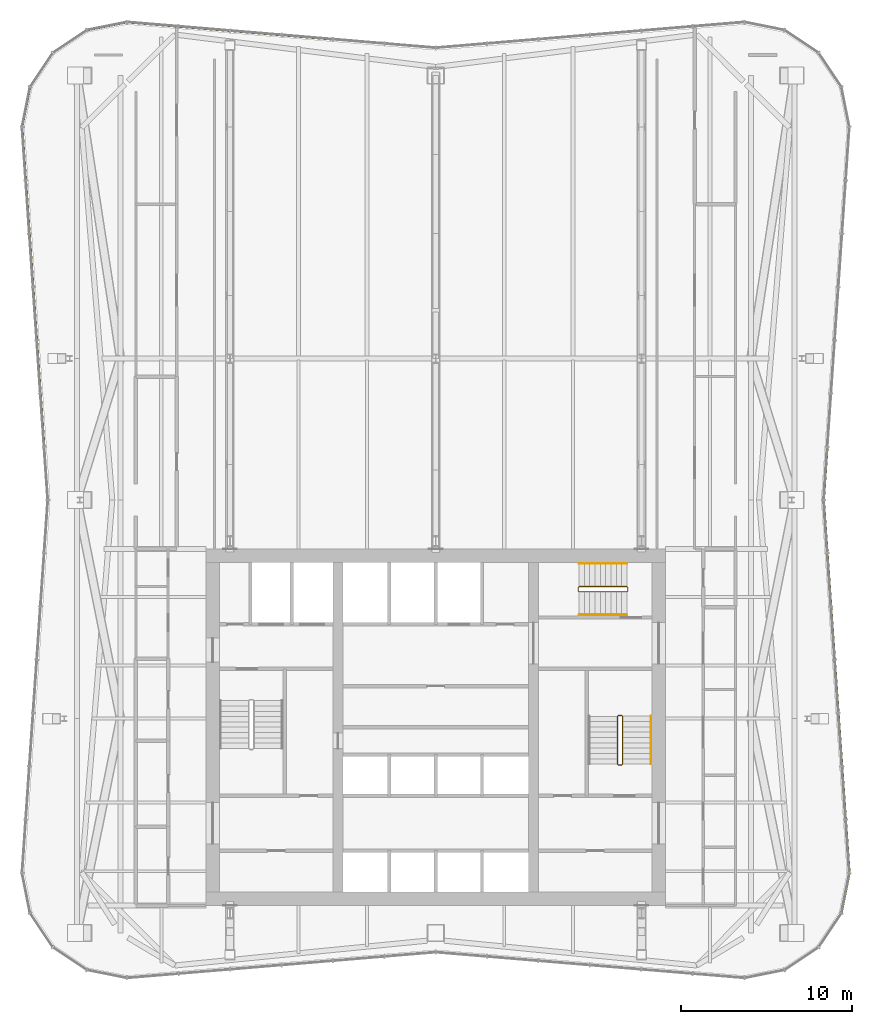
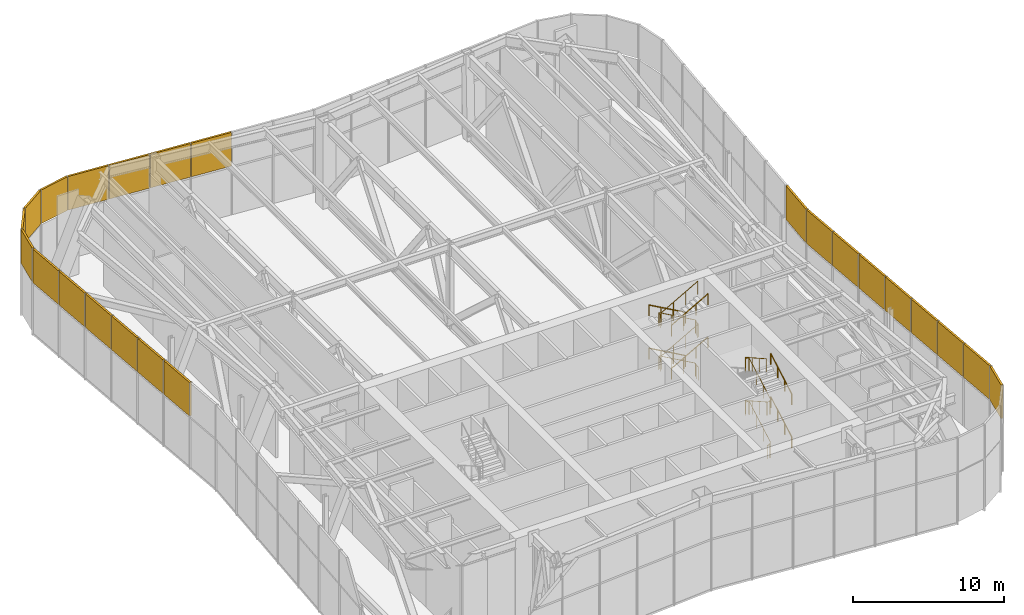
# One storey, part 16 of 17: 23 shading devices, 8 railings, 5 elements without a shape of their own.
"""IFC4 building model written with IfcOpenShell, lengths in metres."""

from ifc_helpers import new_model, si_unit, direction, frame, origin, origin_2d, place, context, subcontext, project, spatial, rectangle, circle, extrude, material, layer, layer_set, type_object, element, aggregate, save


model = new_model("IFC4")

# Units and contexts
model_context = context("Model", 3, precision=1e-05, world=origin(), true_north=direction((0.0, 1.0)))
body_context = subcontext(model_context, "Body", "Model", "MODEL_VIEW")
ifc_project = project(units=[si_unit("LENGTHUNIT", "METRE"), si_unit("AREAUNIT", "SQUARE_METRE"), si_unit("VOLUMEUNIT", "CUBIC_METRE"), si_unit("PLANEANGLEUNIT", "RADIAN"), si_unit("MASSUNIT", "GRAM", prefix="KILO")], contexts=[model_context])

# Site, building, storey
site_placement = place(None, origin())
site = spatial("IfcSite", under=ifc_project, at=site_placement, CompositionType="ELEMENT")
building_placement = place(site_placement, origin())
building = spatial("IfcBuilding", under=site, at=building_placement, Name="Verdant Reach Tower", CompositionType="ELEMENT")
storey_placement = place(building_placement, frame((0.0, 0.0, 282.0)))
storey = spatial("IfcBuildingStorey", under=building, at=storey_placement, Name="L65 Plant", CompositionType="ELEMENT", Elevation=282.0)

# Railings
ifc_material_1 = material(Name="Stainless steel", Category="steel")
railing_type_1 = type_object("IfcRailingType", Name="CO-GUARD", PredefinedType="GUARDRAIL", material=ifc_material_1)
railing_1_placement = place(storey_placement, frame((10.64990234375, 25.800048828125, 0.0)))
element("IfcRailing", 1, at=railing_1_placement, inside=storey, type_object=railing_type_1, Name="L65 Plant ST-2 stair guard 1", PredefinedType="GUARDRAIL", context=body_context, shape_type="SweptSolid", body=[
    extrude(circle(Radius=0.02392578125, at=origin_2d()), frame((0.0, 0.0, 1.076171875), z_axis=(1.0, 0.0, 0.0), x_axis=(0.0, 1.0, 0.0)), (0.0, 0.0, 1.0), 0.2001953125),
    extrude(circle(Radius=0.02392578125, at=origin_2d()), frame((0.2001953125, 0.0, 1.076171875), z_axis=(0.263862480399, 0.265155923931, 0.927399011991), x_axis=(-0.708833529934, 0.705375805398, 0.0)), (0.0, 0.0, 1.0), 0.188720703125),
    extrude(circle(Radius=0.02392578125, at=origin_2d()), frame((0.25, 0.050048828125, 1.2509765625), z_axis=(0.0, 0.870815363784, 0.491610213684), x_axis=(-1.0, 0.0, 0.0)), (0.0, 0.0, 1.0), 3.20361328125),
    extrude(circle(Radius=0.02392578125, at=origin_2d()), frame((0.25, 2.83984375, 2.826171875), z_axis=(-0.705375805398, 0.708833529934, 0.0), x_axis=(-0.708833529934, -0.705375805398, 0.0)), (0.0, 0.0, 1.0), 0.070556640625),
    extrude(circle(Radius=0.02392578125, at=origin_2d()), frame((0.2001953125, 2.889892578125, 2.826171875), z_axis=(-1.0, 0.0, 0.0), x_axis=(0.0, -1.0, 0.0)), (0.0, 0.0, 1.0), 0.2001953125),
    extrude(circle(Radius=0.02392578125, at=origin_2d()), frame((0.0, 2.889892578125, 2.826171875), z_axis=(-0.263862480399, -0.265155923931, 0.927399011991), x_axis=(0.708833529934, -0.705375805398, 0.0)), (0.0, 0.0, 1.0), 0.188720703125),
    extrude(circle(Radius=0.02392578125, at=origin_2d()), frame((-0.0498046875, 2.83984375, 3.0009765625), z_axis=(0.0, -0.870815363784, 0.491610213684), x_axis=(1.0, 0.0, 0.0)), (0.0, 0.0, 1.0), 3.20361328125),
    extrude(circle(Radius=0.02392578125, at=origin_2d()), frame((-0.0498046875, 0.050048828125, 4.576171875), z_axis=(0.705375805398, -0.708833529934, 0.0), x_axis=(0.708833529934, 0.705375805398, 0.0)), (0.0, 0.0, 1.0), 0.070556640625),
    extrude(circle(Radius=0.02392578125, at=origin_2d()), frame((0.0, 0.0, 4.576171875), z_axis=(1.0, 0.0, 0.0), x_axis=(0.0, 1.0, 0.0)), (0.0, 0.0, 1.0), 0.2001953125),
    extrude(circle(Radius=0.02392578125, at=origin_2d()), frame((0.2001953125, 0.0, 4.576171875), z_axis=(0.263862480399, 0.265155923931, 0.927399011991), x_axis=(-0.708833529934, 0.705375805398, 0.0)), (0.0, 0.0, 1.0), 0.188720703125),
    extrude(circle(Radius=0.02392578125, at=origin_2d()), frame((0.25, 0.050048828125, 4.7509765625), z_axis=(0.0, 0.870815363784, 0.491610213684), x_axis=(-1.0, 0.0, 0.0)), (0.0, 0.0, 1.0), 3.20361328125),
    extrude(circle(Radius=0.02392578125, at=origin_2d()), frame((0.25, 2.83984375, 6.326171875), z_axis=(-0.705375805398, 0.708833529934, 0.0), x_axis=(-0.708833529934, -0.705375805398, 0.0)), (0.0, 0.0, 1.0), 0.070556640625),
    extrude(circle(Radius=0.02392578125, at=origin_2d()), frame((0.2001953125, 2.889892578125, 6.326171875), z_axis=(-1.0, 0.0, 0.0), x_axis=(0.0, -1.0, 0.0)), (0.0, 0.0, 1.0), 0.2001953125),
    extrude(circle(Radius=0.02392578125, at=origin_2d()), frame((0.0, 2.889892578125, 6.326171875), z_axis=(-0.263862480399, -0.265155923931, 0.927399011991), x_axis=(0.708833529934, -0.705375805398, 0.0)), (0.0, 0.0, 1.0), 0.188720703125),
    extrude(circle(Radius=0.02392578125, at=origin_2d()), frame((-0.0498046875, 2.83984375, 6.5009765625), z_axis=(0.0, -0.870815363784, 0.491610213684), x_axis=(1.0, 0.0, 0.0)), (0.0, 0.0, 1.0), 3.20361328125),
    extrude(circle(Radius=0.02099609375, at=origin_2d()), origin(), (0.0, 0.0, 1.0), 1.052001953125),
    extrude(circle(Radius=0.02099609375, at=origin_2d()), frame((0.2001953125, 0.0, 0.0)), (0.0, 0.0, 1.0), 1.052001953125),
    extrude(circle(Radius=0.02099609375, at=origin_2d()), frame((0.25, 0.050048828125, 0.175048828125)), (0.0, 0.0, 1.0), 1.052001953125),
    extrude(circle(Radius=0.02099609375, at=origin_2d()), frame((0.25, 0.97998046875, 0.699951171875)), (0.0, 0.0, 1.0), 1.052001953125),
    extrude(circle(Radius=0.02099609375, at=origin_2d()), frame((0.25, 1.909912109375, 1.22509765625)), (0.0, 0.0, 1.0), 1.052001953125),
    extrude(circle(Radius=0.02099609375, at=origin_2d()), frame((0.25, 2.83984375, 1.75)), (0.0, 0.0, 1.0), 1.052001953125),
    extrude(circle(Radius=0.02099609375, at=origin_2d()), frame((0.2001953125, 2.889892578125, 1.75)), (0.0, 0.0, 1.0), 1.052001953125),
    extrude(circle(Radius=0.02099609375, at=origin_2d()), frame((0.0, 2.889892578125, 1.75)), (0.0, 0.0, 1.0), 1.052001953125),
    extrude(circle(Radius=0.02099609375, at=origin_2d()), frame((-0.0498046875, 2.83984375, 1.925048828125)), (0.0, 0.0, 1.0), 1.052001953125),
    extrude(circle(Radius=0.02099609375, at=origin_2d()), frame((-0.0498046875, 1.909912109375, 2.449951171875)), (0.0, 0.0, 1.0), 1.052001953125),
    extrude(circle(Radius=0.02099609375, at=origin_2d()), frame((-0.0498046875, 0.97998046875, 2.97509765625)), (0.0, 0.0, 1.0), 1.052001953125),
    extrude(circle(Radius=0.02099609375, at=origin_2d()), frame((-0.0498046875, 0.050048828125, 3.5)), (0.0, 0.0, 1.0), 1.052001953125),
    extrude(circle(Radius=0.02099609375, at=origin_2d()), frame((0.0, 0.0, 3.5)), (0.0, 0.0, 1.0), 1.052001953125),
    extrude(circle(Radius=0.02099609375, at=origin_2d()), frame((0.2001953125, 0.0, 3.5)), (0.0, 0.0, 1.0), 1.052001953125),
    extrude(circle(Radius=0.02099609375, at=origin_2d()), frame((0.25, 0.050048828125, 3.675048828125)), (0.0, 0.0, 1.0), 1.052001953125),
    extrude(circle(Radius=0.02099609375, at=origin_2d()), frame((0.25, 0.97998046875, 4.199951171875)), (0.0, 0.0, 1.0), 1.052001953125),
    extrude(circle(Radius=0.02099609375, at=origin_2d()), frame((0.25, 1.909912109375, 4.72509765625)), (0.0, 0.0, 1.0), 1.052001953125),
    extrude(circle(Radius=0.02099609375, at=origin_2d()), frame((0.25, 2.83984375, 5.25)), (0.0, 0.0, 1.0), 1.052001953125),
    extrude(circle(Radius=0.02099609375, at=origin_2d()), frame((0.2001953125, 2.889892578125, 5.25)), (0.0, 0.0, 1.0), 1.052001953125),
    extrude(circle(Radius=0.02099609375, at=origin_2d()), frame((0.0, 2.889892578125, 5.25)), (0.0, 0.0, 1.0), 1.052001953125),
    extrude(circle(Radius=0.02099609375, at=origin_2d()), frame((-0.0498046875, 2.83984375, 5.425048828125)), (0.0, 0.0, 1.0), 1.052001953125),
    extrude(circle(Radius=0.02099609375, at=origin_2d()), frame((-0.0498046875, 1.909912109375, 5.949951171875)), (0.0, 0.0, 1.0), 1.052001953125),
    extrude(circle(Radius=0.02099609375, at=origin_2d()), frame((-0.0498046875, 0.97998046875, 6.47509765625)), (0.0, 0.0, 1.0), 1.052001953125),
    extrude(circle(Radius=0.02099609375, at=origin_2d()), frame((-0.0498046875, 0.050048828125, 7.0)), (0.0, 0.0, 1.0), 1.052001953125),
])
railing_2_placement = place(storey_placement, frame((11.199951171875, 35.949951171875, 0.0)))
element("IfcRailing", 2, at=railing_2_placement, inside=storey, type_object=railing_type_1, Name="L65 Plant ST-3 stair guard 1", PredefinedType="GUARDRAIL", context=body_context, shape_type="SweptSolid", body=[
    extrude(circle(Radius=0.02392578125, at=origin_2d()), frame((0.0, 0.0, 1.076171875), z_axis=(0.0, 1.0, 0.0), x_axis=(-1.0, 0.0, 0.0)), (0.0, 0.0, 1.0), 0.199951171875),
    extrude(circle(Radius=0.02392578125, at=origin_2d()), frame((0.0, 0.199951171875, 1.076171875), z_axis=(-0.265065253269, 0.265065253269, 0.927081885822), x_axis=(-0.707106781187, -0.707106781187, 0.0)), (0.0, 0.0, 1.0), 0.188720703125),
    extrude(circle(Radius=0.02392578125, at=origin_2d()), frame((-0.050048828125, 0.25, 1.2509765625), z_axis=(-0.870815363784, 0.0, 0.491610213684), x_axis=(0.0, -1.0, 0.0)), (0.0, 0.0, 1.0), 3.20361328125),
    extrude(circle(Radius=0.02392578125, at=origin_2d()), frame((-2.83984375, 0.25, 2.826171875), z_axis=(-0.707106781187, -0.707106781187, 0.0), x_axis=(0.707106781187, -0.707106781187, 0.0)), (0.0, 0.0, 1.0), 0.07080078125),
    extrude(circle(Radius=0.02392578125, at=origin_2d()), frame((-2.889892578125, 0.199951171875, 2.826171875), z_axis=(0.0, -1.0, 0.0), x_axis=(1.0, 0.0, 0.0)), (0.0, 0.0, 1.0), 0.199951171875),
    extrude(circle(Radius=0.02392578125, at=origin_2d()), frame((-2.889892578125, 0.0, 2.826171875), z_axis=(0.265065253269, -0.265065253269, 0.927081885822), x_axis=(0.707106781187, 0.707106781187, 0.0)), (0.0, 0.0, 1.0), 0.188720703125),
    extrude(circle(Radius=0.02392578125, at=origin_2d()), frame((-2.83984375, -0.050048828125, 3.0009765625), z_axis=(0.870815363784, 0.0, 0.491610213684), x_axis=(0.0, 1.0, 0.0)), (0.0, 0.0, 1.0), 3.20361328125),
    extrude(circle(Radius=0.02392578125, at=origin_2d()), frame((-0.050048828125, -0.050048828125, 4.576171875), z_axis=(0.707106781187, 0.707106781187, 0.0), x_axis=(-0.707106781187, 0.707106781187, 0.0)), (0.0, 0.0, 1.0), 0.07080078125),
    extrude(circle(Radius=0.02392578125, at=origin_2d()), frame((0.0, 0.0, 4.576171875), z_axis=(0.0, 1.0, 0.0), x_axis=(-1.0, 0.0, 0.0)), (0.0, 0.0, 1.0), 0.199951171875),
    extrude(circle(Radius=0.02392578125, at=origin_2d()), frame((0.0, 0.199951171875, 4.576171875), z_axis=(-0.265065253269, 0.265065253269, 0.927081885822), x_axis=(-0.707106781187, -0.707106781187, 0.0)), (0.0, 0.0, 1.0), 0.188720703125),
    extrude(circle(Radius=0.02392578125, at=origin_2d()), frame((-0.050048828125, 0.25, 4.7509765625), z_axis=(-0.870815363784, 0.0, 0.491610213684), x_axis=(0.0, -1.0, 0.0)), (0.0, 0.0, 1.0), 3.20361328125),
    extrude(circle(Radius=0.02392578125, at=origin_2d()), frame((-2.83984375, 0.25, 6.326171875), z_axis=(-0.707106781187, -0.707106781187, 0.0), x_axis=(0.707106781187, -0.707106781187, 0.0)), (0.0, 0.0, 1.0), 0.07080078125),
    extrude(circle(Radius=0.02392578125, at=origin_2d()), frame((-2.889892578125, 0.199951171875, 6.326171875), z_axis=(0.0, -1.0, 0.0), x_axis=(1.0, 0.0, 0.0)), (0.0, 0.0, 1.0), 0.199951171875),
    extrude(circle(Radius=0.02392578125, at=origin_2d()), frame((-2.889892578125, 0.0, 6.326171875), z_axis=(0.265065253269, -0.265065253269, 0.927081885822), x_axis=(0.707106781187, 0.707106781187, 0.0)), (0.0, 0.0, 1.0), 0.188720703125),
    extrude(circle(Radius=0.02392578125, at=origin_2d()), frame((-2.83984375, -0.050048828125, 6.5009765625), z_axis=(0.870815363784, 0.0, 0.491610213684), x_axis=(0.0, 1.0, 0.0)), (0.0, 0.0, 1.0), 3.20361328125),
    extrude(circle(Radius=0.02099609375, at=origin_2d()), origin(), (0.0, 0.0, 1.0), 1.052001953125),
    extrude(circle(Radius=0.02099609375, at=origin_2d()), frame((0.0, 0.199951171875, 0.0)), (0.0, 0.0, 1.0), 1.052001953125),
    extrude(circle(Radius=0.02099609375, at=origin_2d()), frame((-0.050048828125, 0.25, 0.175048828125)), (0.0, 0.0, 1.0), 1.052001953125),
    extrude(circle(Radius=0.02099609375, at=origin_2d()), frame((-0.97998046875, 0.25, 0.699951171875)), (0.0, 0.0, 1.0), 1.052001953125),
    extrude(circle(Radius=0.02099609375, at=origin_2d()), frame((-1.909912109375, 0.25, 1.22509765625)), (0.0, 0.0, 1.0), 1.052001953125),
    extrude(circle(Radius=0.02099609375, at=origin_2d()), frame((-2.83984375, 0.25, 1.75)), (0.0, 0.0, 1.0), 1.052001953125),
    extrude(circle(Radius=0.02099609375, at=origin_2d()), frame((-2.889892578125, 0.199951171875, 1.75)), (0.0, 0.0, 1.0), 1.052001953125),
    extrude(circle(Radius=0.02099609375, at=origin_2d()), frame((-2.889892578125, 0.0, 1.75)), (0.0, 0.0, 1.0), 1.052001953125),
    extrude(circle(Radius=0.02099609375, at=origin_2d()), frame((-2.83984375, -0.050048828125, 1.925048828125)), (0.0, 0.0, 1.0), 1.052001953125),
    extrude(circle(Radius=0.02099609375, at=origin_2d()), frame((-1.909912109375, -0.050048828125, 2.449951171875)), (0.0, 0.0, 1.0), 1.052001953125),
    extrude(circle(Radius=0.02099609375, at=origin_2d()), frame((-0.97998046875, -0.050048828125, 2.97509765625)), (0.0, 0.0, 1.0), 1.052001953125),
    extrude(circle(Radius=0.02099609375, at=origin_2d()), frame((-0.050048828125, -0.050048828125, 3.5)), (0.0, 0.0, 1.0), 1.052001953125),
    extrude(circle(Radius=0.02099609375, at=origin_2d()), frame((0.0, 0.0, 3.5)), (0.0, 0.0, 1.0), 1.052001953125),
    extrude(circle(Radius=0.02099609375, at=origin_2d()), frame((0.0, 0.199951171875, 3.5)), (0.0, 0.0, 1.0), 1.052001953125),
    extrude(circle(Radius=0.02099609375, at=origin_2d()), frame((-0.050048828125, 0.25, 3.675048828125)), (0.0, 0.0, 1.0), 1.052001953125),
    extrude(circle(Radius=0.02099609375, at=origin_2d()), frame((-0.97998046875, 0.25, 4.199951171875)), (0.0, 0.0, 1.0), 1.052001953125),
    extrude(circle(Radius=0.02099609375, at=origin_2d()), frame((-1.909912109375, 0.25, 4.72509765625)), (0.0, 0.0, 1.0), 1.052001953125),
    extrude(circle(Radius=0.02099609375, at=origin_2d()), frame((-2.83984375, 0.25, 5.25)), (0.0, 0.0, 1.0), 1.052001953125),
    extrude(circle(Radius=0.02099609375, at=origin_2d()), frame((-2.889892578125, 0.199951171875, 5.25)), (0.0, 0.0, 1.0), 1.052001953125),
    extrude(circle(Radius=0.02099609375, at=origin_2d()), frame((-2.889892578125, 0.0, 5.25)), (0.0, 0.0, 1.0), 1.052001953125),
    extrude(circle(Radius=0.02099609375, at=origin_2d()), frame((-2.83984375, -0.050048828125, 5.425048828125)), (0.0, 0.0, 1.0), 1.052001953125),
    extrude(circle(Radius=0.02099609375, at=origin_2d()), frame((-1.909912109375, -0.050048828125, 5.949951171875)), (0.0, 0.0, 1.0), 1.052001953125),
    extrude(circle(Radius=0.02099609375, at=origin_2d()), frame((-0.97998046875, -0.050048828125, 6.47509765625)), (0.0, 0.0, 1.0), 1.052001953125),
    extrude(circle(Radius=0.02099609375, at=origin_2d()), frame((-0.050048828125, -0.050048828125, 7.0)), (0.0, 0.0, 1.0), 1.052001953125),
])
railing_type_2 = type_object("IfcRailingType", Name="CO-HANDRAIL", PredefinedType="HANDRAIL", material=ifc_material_1)
for number, where, name in (
    (3, (12.550048828125, 25.85009765625, 0.175048828125), "L65 Plant ST-2 stair handrail 1"),
    (4, (12.550048828125, 25.85009765625, 3.675048828125), "L65 Plant ST-2 stair handrail 3"),
):
    element("IfcRailing", number, at=place(storey_placement, frame(where)), inside=storey, type_object=railing_type_2, Name=name, PredefinedType="HANDRAIL", context=body_context, shape_type="SweptSolid", body=[
        extrude(circle(Radius=0.02392578125, at=origin_2d()), frame((0.0, 0.0, 0.8759765625), z_axis=(0.0, 0.870815363784, 0.491610213684), x_axis=(-1.0, 0.0, 0.0)), (0.0, 0.0, 1.0), 3.20361328125),
        extrude(circle(Radius=0.02099609375, at=origin_2d()), origin(), (0.0, 0.0, 1.0), 0.851806640625),
        extrude(circle(Radius=0.02099609375, at=origin_2d()), frame((0.0, 0.929931640625, 0.52490234375)), (0.0, 0.0, 1.0), 0.851806640625),
        extrude(circle(Radius=0.02099609375, at=origin_2d()), frame((0.0, 1.85986328125, 1.050048828125)), (0.0, 0.0, 1.0), 0.851806640625),
        extrude(circle(Radius=0.02099609375, at=origin_2d()), frame((0.0, 2.789794921875, 1.574951171875)), (0.0, 0.0, 1.0), 0.851806640625),
    ])
railing_3_placement = place(storey_placement, frame((11.14990234375, 37.550048828125, 0.175048828125)))
element("IfcRailing", 5, at=railing_3_placement, inside=storey, type_object=railing_type_2, Name="L65 Plant ST-3 stair handrail 1", PredefinedType="HANDRAIL", context=body_context, shape_type="SweptSolid", body=[
    extrude(circle(Radius=0.02392578125, at=origin_2d()), frame((0.0, 0.0, 0.8759765625), z_axis=(-0.870815363784, 0.0, 0.491610213684), x_axis=(0.0, -1.0, 0.0)), (0.0, 0.0, 1.0), 3.20361328125),
    extrude(circle(Radius=0.02099609375, at=origin_2d()), origin(), (0.0, 0.0, 1.0), 0.851806640625),
    extrude(circle(Radius=0.02099609375, at=origin_2d()), frame((-0.929931640625, 0.0, 0.52490234375)), (0.0, 0.0, 1.0), 0.851806640625),
    extrude(circle(Radius=0.02099609375, at=origin_2d()), frame((-1.85986328125, 0.0, 1.050048828125)), (0.0, 0.0, 1.0), 0.851806640625),
    extrude(circle(Radius=0.02099609375, at=origin_2d()), frame((-2.789794921875, 0.0, 1.574951171875)), (0.0, 0.0, 1.0), 0.851806640625),
])
railing_4_placement = place(storey_placement, frame((8.360107421875, 34.550048828125, 1.925048828125)))
element("IfcRailing", 6, at=railing_4_placement, inside=storey, type_object=railing_type_2, Name="L65 Plant ST-3 stair handrail 2", PredefinedType="HANDRAIL", context=body_context, shape_type="SweptSolid", body=[
    extrude(circle(Radius=0.02392578125, at=origin_2d()), frame((0.0, 0.0, 0.8759765625), z_axis=(0.870815363784, 0.0, 0.491610213684), x_axis=(0.0, 1.0, 0.0)), (0.0, 0.0, 1.0), 3.20361328125),
    extrude(circle(Radius=0.02099609375, at=origin_2d()), origin(), (0.0, 0.0, 1.0), 0.851806640625),
    extrude(circle(Radius=0.02099609375, at=origin_2d()), frame((0.929931640625, 0.0, 0.52490234375)), (0.0, 0.0, 1.0), 0.851806640625),
    extrude(circle(Radius=0.02099609375, at=origin_2d()), frame((1.85986328125, 0.0, 1.050048828125)), (0.0, 0.0, 1.0), 0.851806640625),
    extrude(circle(Radius=0.02099609375, at=origin_2d()), frame((2.789794921875, 0.0, 1.574951171875)), (0.0, 0.0, 1.0), 0.851806640625),
])
railing_5_placement = place(storey_placement, frame((11.14990234375, 37.550048828125, 3.675048828125)))
element("IfcRailing", 7, at=railing_5_placement, inside=storey, type_object=railing_type_2, Name="L65 Plant ST-3 stair handrail 3", PredefinedType="HANDRAIL", context=body_context, shape_type="SweptSolid", body=[
    extrude(circle(Radius=0.02392578125, at=origin_2d()), frame((0.0, 0.0, 0.8759765625), z_axis=(-0.870815363784, 0.0, 0.491610213684), x_axis=(0.0, -1.0, 0.0)), (0.0, 0.0, 1.0), 3.20361328125),
    extrude(circle(Radius=0.02099609375, at=origin_2d()), origin(), (0.0, 0.0, 1.0), 0.851806640625),
    extrude(circle(Radius=0.02099609375, at=origin_2d()), frame((-0.929931640625, 0.0, 0.52490234375)), (0.0, 0.0, 1.0), 0.851806640625),
    extrude(circle(Radius=0.02099609375, at=origin_2d()), frame((-1.85986328125, 0.0, 1.050048828125)), (0.0, 0.0, 1.0), 0.851806640625),
    extrude(circle(Radius=0.02099609375, at=origin_2d()), frame((-2.789794921875, 0.0, 1.574951171875)), (0.0, 0.0, 1.0), 0.851806640625),
])
railing_6_placement = place(storey_placement, frame((8.360107421875, 34.550048828125, 5.425048828125)))
element("IfcRailing", 8, at=railing_6_placement, inside=storey, type_object=railing_type_2, Name="L65 Plant ST-3 stair handrail 4", PredefinedType="HANDRAIL", context=body_context, shape_type="SweptSolid", body=[
    extrude(circle(Radius=0.02392578125, at=origin_2d()), frame((0.0, 0.0, 0.8759765625), z_axis=(0.870815363784, 0.0, 0.491610213684), x_axis=(0.0, 1.0, 0.0)), (0.0, 0.0, 1.0), 3.20361328125),
    extrude(circle(Radius=0.02099609375, at=origin_2d()), origin(), (0.0, 0.0, 1.0), 0.851806640625),
    extrude(circle(Radius=0.02099609375, at=origin_2d()), frame((0.929931640625, 0.0, 0.52490234375)), (0.0, 0.0, 1.0), 0.851806640625),
    extrude(circle(Radius=0.02099609375, at=origin_2d()), frame((1.85986328125, 0.0, 1.050048828125)), (0.0, 0.0, 1.0), 0.851806640625),
    extrude(circle(Radius=0.02099609375, at=origin_2d()), frame((2.789794921875, 0.0, 1.574951171875)), (0.0, 0.0, 1.0), 0.851806640625),
])

# Curtain wall, shading device
ifc_material_2 = material(Name="Anodised aluminium", Category="aluminium")
curtain_wall_type = type_object("IfcCurtainWallType", Name="EN-CW SYSTEM PLANT", PredefinedType="NOTDEFINED", material=ifc_material_2)
curtain_wall_1_placement = place(storey_placement, origin())
curtain_wall_1 = element("IfcCurtainWall", 9, at=curtain_wall_1_placement, inside=storey, type_object=curtain_wall_type, Name="Curtain wall south-east corner, L65", PredefinedType="NOTDEFINED")
ifc_material_3 = material(Name="Bronze anodised aluminium louvre", Category="aluminium")
ifc_layer = layer(ifc_material_3, 0.14990234375)
ifc_layer_set = layer_set([ifc_layer], Name="EN-LOUVRE")
shading_device_type = type_object("IfcShadingDeviceType", Name="EN-LOUVRE", PredefinedType="USERDEFINED", material=ifc_layer_set)
shading_device_1_placement = place(storey_placement, frame((23.885986328125, 18.325439453125, 3.925048828125), z_axis=(0.0, 0.0, 1.0), x_axis=(0.195592962334, 0.980685165119, 0.0)))
shading_device_1 = element("IfcShadingDevice", 10, at=shading_device_1_placement, type_object=shading_device_type, Name="Louvre bank south-east corner 4, L65", ObjectType="LOUVRE", PredefinedType="USERDEFINED", context=body_context, shape_type="SweptSolid", body=[
    extrude(rectangle(XDim=2.303955078125, YDim=0.14990234375, at=origin_2d()), origin(), (0.0, 0.0, 1.0), 2.72509765625),
])
aggregate(curtain_wall_1, [shading_device_1])

# Curtain wall, shading devices
curtain_wall_2_placement = place(storey_placement, origin())
curtain_wall_2 = element("IfcCurtainWall", 11, at=curtain_wall_2_placement, inside=storey, type_object=curtain_wall_type, Name="Curtain wall east, L65", PredefinedType="NOTDEFINED")
shading_device_2_placement = place(storey_placement, frame((24.011474609375, 21.053955078125, 3.925048828125), z_axis=(0.0, 0.0, 1.0), x_axis=(-0.068469163133, 0.997653233193, 0.0)))
shading_device_2 = element("IfcShadingDevice", 12, at=shading_device_2_placement, type_object=shading_device_type, Name="Louvre bank east face part 1 1, L65", ObjectType="LOUVRE", PredefinedType="USERDEFINED", context=body_context, shape_type="SweptSolid", body=[
    extrude(rectangle(XDim=3.05419921875, YDim=0.14990234375, at=origin_2d()), origin(), (0.0, 0.0, 1.0), 2.72509765625),
])
shading_device_3_placement = place(storey_placement, frame((23.79736328125, 24.1689453125, 3.925048828125), z_axis=(0.0, 0.0, 1.0), x_axis=(-0.068802091615, 0.997630328423, 0.0)))
shading_device_3 = element("IfcShadingDevice", 13, at=shading_device_3_placement, type_object=shading_device_type, Name="Louvre bank east face part 1 2, L65", ObjectType="LOUVRE", PredefinedType="USERDEFINED", context=body_context, shape_type="SweptSolid", body=[
    extrude(rectangle(XDim=3.03857421875, YDim=0.14990234375, at=origin_2d()), origin(), (0.0, 0.0, 1.0), 2.72509765625),
])
shading_device_4_placement = place(storey_placement, frame((23.5830078125, 27.276123046875, 3.925048828125), z_axis=(0.0, 0.0, 1.0), x_axis=(-0.068802091615, 0.997630328423, 0.0)))
shading_device_4 = element("IfcShadingDevice", 14, at=shading_device_4_placement, type_object=shading_device_type, Name="Louvre bank east face part 1 3, L65", ObjectType="LOUVRE", PredefinedType="USERDEFINED", context=body_context, shape_type="SweptSolid", body=[
    extrude(rectangle(XDim=3.03857421875, YDim=0.14990234375, at=origin_2d()), origin(), (0.0, 0.0, 1.0), 2.72509765625),
])
shading_device_5_placement = place(storey_placement, frame((23.36865234375, 30.38330078125, 3.925048828125), z_axis=(0.0, 0.0, 1.0), x_axis=(-0.068802091615, 0.997630328423, 0.0)))
shading_device_5 = element("IfcShadingDevice", 15, at=shading_device_5_placement, type_object=shading_device_type, Name="Louvre bank east face part 1 4, L65", ObjectType="LOUVRE", PredefinedType="USERDEFINED", context=body_context, shape_type="SweptSolid", body=[
    extrude(rectangle(XDim=3.03857421875, YDim=0.14990234375, at=origin_2d()), origin(), (0.0, 0.0, 1.0), 2.72509765625),
])
shading_device_6_placement = place(storey_placement, frame((23.154541015625, 33.490234375, 3.925048828125), z_axis=(0.0, 0.0, 1.0), x_axis=(-0.068802091615, 0.997630328423, 0.0)))
shading_device_6 = element("IfcShadingDevice", 16, at=shading_device_6_placement, type_object=shading_device_type, Name="Louvre bank east face part 1 5, L65", ObjectType="LOUVRE", PredefinedType="USERDEFINED", context=body_context, shape_type="SweptSolid", body=[
    extrude(rectangle(XDim=3.03857421875, YDim=0.14990234375, at=origin_2d()), origin(), (0.0, 0.0, 1.0), 2.72509765625),
])
shading_device_7_placement = place(storey_placement, frame((22.940185546875, 36.597412109375, 3.925048828125), z_axis=(0.0, 0.0, 1.0), x_axis=(-0.068802091615, 0.997630328423, 0.0)))
shading_device_7 = element("IfcShadingDevice", 17, at=shading_device_7_placement, type_object=shading_device_type, Name="Louvre bank east face part 1 6, L65", ObjectType="LOUVRE", PredefinedType="USERDEFINED", context=body_context, shape_type="SweptSolid", body=[
    extrude(rectangle(XDim=3.03857421875, YDim=0.14990234375, at=origin_2d()), origin(), (0.0, 0.0, 1.0), 2.72509765625),
])
shading_device_8_placement = place(storey_placement, frame((22.72607421875, 39.700439453125, 3.925048828125), z_axis=(0.0, 0.0, 1.0), x_axis=(-0.068892655483, 0.997624078509, 0.0)))
shading_device_8 = element("IfcShadingDevice", 18, at=shading_device_8_placement, type_object=shading_device_type, Name="Louvre bank east face part 1 7, L65", ObjectType="LOUVRE", PredefinedType="USERDEFINED", context=body_context, shape_type="SweptSolid", body=[
    extrude(rectangle(XDim=3.0302734375, YDim=0.14990234375, at=origin_2d()), origin(), (0.0, 0.0, 1.0), 2.72509765625),
])
shading_device_9_placement = place(storey_placement, frame((22.72607421875, 42.799560546875, 3.925048828125), z_axis=(0.0, 0.0, 1.0), x_axis=(0.068892655483, 0.997624078509, 0.0)))
shading_device_9 = element("IfcShadingDevice", 19, at=shading_device_9_placement, type_object=shading_device_type, Name="Louvre bank east face part 2 1, L65", ObjectType="LOUVRE", PredefinedType="USERDEFINED", context=body_context, shape_type="SweptSolid", body=[
    extrude(rectangle(XDim=3.0302734375, YDim=0.14990234375, at=origin_2d()), origin(), (0.0, 0.0, 1.0), 2.72509765625),
])
aggregate(curtain_wall_2, [shading_device_2, shading_device_3, shading_device_4, shading_device_5, shading_device_6, shading_device_7, shading_device_8, shading_device_9])

curtain_wall_3_placement = place(storey_placement, origin())
curtain_wall_3 = element("IfcCurtainWall", 20, at=curtain_wall_3_placement, inside=storey, type_object=curtain_wall_type, Name="Curtain wall north, L65", PredefinedType="NOTDEFINED")
shading_device_10_placement = place(storey_placement, frame((-7.490234375, 68.24365234375, 3.925048828125), z_axis=(0.0, 0.0, 1.0), x_axis=(-0.996545758244, 0.083045479859, 0.0)))
shading_device_10 = element("IfcShadingDevice", 21, at=shading_device_10_placement, type_object=shading_device_type, Name="Louvre bank north face part 2 3, L65", ObjectType="LOUVRE", PredefinedType="USERDEFINED", context=body_context, shape_type="SweptSolid", body=[
    extrude(rectangle(XDim=2.934326171875, YDim=0.14990234375, at=origin_2d()), origin(), (0.0, 0.0, 1.0), 2.72509765625),
])
shading_device_11_placement = place(storey_placement, frame((-10.490234375, 68.49365234375, 3.925048828125), z_axis=(0.0, 0.0, 1.0), x_axis=(-0.996545758244, 0.083045479859, 0.0)))
shading_device_11 = element("IfcShadingDevice", 22, at=shading_device_11_placement, type_object=shading_device_type, Name="Louvre bank north face part 2 4, L65", ObjectType="LOUVRE", PredefinedType="USERDEFINED", context=body_context, shape_type="SweptSolid", body=[
    extrude(rectangle(XDim=2.934326171875, YDim=0.14990234375, at=origin_2d()), origin(), (0.0, 0.0, 1.0), 2.72509765625),
])
shading_device_12_placement = place(storey_placement, frame((-13.490234375, 68.74365234375, 3.925048828125), z_axis=(0.0, 0.0, 1.0), x_axis=(-0.996545758244, 0.083045479859, 0.0)))
shading_device_12 = element("IfcShadingDevice", 23, at=shading_device_12_placement, type_object=shading_device_type, Name="Louvre bank north face part 2 5, L65", ObjectType="LOUVRE", PredefinedType="USERDEFINED", context=body_context, shape_type="SweptSolid", body=[
    extrude(rectangle(XDim=2.934326171875, YDim=0.14990234375, at=origin_2d()), origin(), (0.0, 0.0, 1.0), 2.72509765625),
])
shading_device_13_placement = place(storey_placement, frame((-16.49853515625, 68.99365234375, 3.925048828125), z_axis=(0.0, 0.0, 1.0), x_axis=(-0.996577509664, 0.082663578629, 0.0)))
shading_device_13 = element("IfcShadingDevice", 24, at=shading_device_13_placement, type_object=shading_device_type, Name="Louvre bank north face part 2 6, L65", ObjectType="LOUVRE", PredefinedType="USERDEFINED", context=body_context, shape_type="SweptSolid", body=[
    extrude(rectangle(XDim=2.950927734375, YDim=0.14990234375, at=origin_2d()), origin(), (0.0, 0.0, 1.0), 2.72509765625),
])
aggregate(curtain_wall_3, [shading_device_10, shading_device_11, shading_device_12, shading_device_13])

curtain_wall_4_placement = place(storey_placement, origin())
curtain_wall_4 = element("IfcCurtainWall", 25, at=curtain_wall_4_placement, inside=storey, type_object=curtain_wall_type, Name="Curtain wall north-west corner, L65", PredefinedType="NOTDEFINED")
shading_device_14_placement = place(storey_placement, frame((-19.174072265625, 68.885986328125, 3.925048828125), z_axis=(0.0, 0.0, 1.0), x_axis=(-0.980694678629, -0.195545256419, 0.0)))
shading_device_14 = element("IfcShadingDevice", 26, at=shading_device_14_placement, type_object=shading_device_type, Name="Louvre bank north-west corner 1, L65", ObjectType="LOUVRE", PredefinedType="USERDEFINED", context=body_context, shape_type="SweptSolid", body=[
    extrude(rectangle(XDim=2.304931640625, YDim=0.14990234375, at=origin_2d()), origin(), (0.0, 0.0, 1.0), 2.72509765625),
])
shading_device_15_placement = place(storey_placement, frame((-21.334228515625, 67.989990234375, 3.925048828125), z_axis=(0.0, 0.0, 1.0), x_axis=(-0.83145208321, -0.555596466265, 0.0)))
shading_device_15 = element("IfcShadingDevice", 27, at=shading_device_15_placement, type_object=shading_device_type, Name="Louvre bank north-west corner 2, L65", ObjectType="LOUVRE", PredefinedType="USERDEFINED", context=body_context, shape_type="SweptSolid", body=[
    extrude(rectangle(XDim=2.3115234375, YDim=0.14990234375, at=origin_2d()), origin(), (0.0, 0.0, 1.0), 2.72509765625),
])
shading_device_16_placement = place(storey_placement, frame((-22.989990234375, 66.334228515625, 3.925048828125), z_axis=(0.0, 0.0, 1.0), x_axis=(-0.555596466265, -0.83145208321, 0.0)))
shading_device_16 = element("IfcShadingDevice", 28, at=shading_device_16_placement, type_object=shading_device_type, Name="Louvre bank north-west corner 3, L65", ObjectType="LOUVRE", PredefinedType="USERDEFINED", context=body_context, shape_type="SweptSolid", body=[
    extrude(rectangle(XDim=2.3115234375, YDim=0.14990234375, at=origin_2d()), origin(), (0.0, 0.0, 1.0), 2.72509765625),
])
shading_device_17_placement = place(storey_placement, frame((-23.885986328125, 64.174560546875, 3.925048828125), z_axis=(0.0, 0.0, 1.0), x_axis=(-0.195592962334, -0.980685165119, 0.0)))
shading_device_17 = element("IfcShadingDevice", 29, at=shading_device_17_placement, type_object=shading_device_type, Name="Louvre bank north-west corner 4, L65", ObjectType="LOUVRE", PredefinedType="USERDEFINED", context=body_context, shape_type="SweptSolid", body=[
    extrude(rectangle(XDim=2.303955078125, YDim=0.14990234375, at=origin_2d()), origin(), (0.0, 0.0, 1.0), 2.72509765625),
])
aggregate(curtain_wall_4, [shading_device_14, shading_device_15, shading_device_16, shading_device_17])

curtain_wall_5_placement = place(storey_placement, origin())
curtain_wall_5 = element("IfcCurtainWall", 30, at=curtain_wall_5_placement, inside=storey, type_object=curtain_wall_type, Name="Curtain wall west, L65", PredefinedType="NOTDEFINED")
shading_device_18_placement = place(storey_placement, frame((-24.011474609375, 61.446044921875, 3.925048828125), z_axis=(0.0, 0.0, 1.0), x_axis=(0.068469163133, -0.997653233193, 0.0)))
shading_device_18 = element("IfcShadingDevice", 31, at=shading_device_18_placement, type_object=shading_device_type, Name="Louvre bank west face part 1 1, L65", ObjectType="LOUVRE", PredefinedType="USERDEFINED", context=body_context, shape_type="SweptSolid", body=[
    extrude(rectangle(XDim=3.05419921875, YDim=0.14990234375, at=origin_2d()), origin(), (0.0, 0.0, 1.0), 2.72509765625),
])
shading_device_19_placement = place(storey_placement, frame((-23.79736328125, 58.3310546875, 3.925048828125), z_axis=(0.0, 0.0, 1.0), x_axis=(0.068802091615, -0.997630328423, 0.0)))
shading_device_19 = element("IfcShadingDevice", 32, at=shading_device_19_placement, type_object=shading_device_type, Name="Louvre bank west face part 1 2, L65", ObjectType="LOUVRE", PredefinedType="USERDEFINED", context=body_context, shape_type="SweptSolid", body=[
    extrude(rectangle(XDim=3.03857421875, YDim=0.14990234375, at=origin_2d()), origin(), (0.0, 0.0, 1.0), 2.72509765625),
])
shading_device_20_placement = place(storey_placement, frame((-23.5830078125, 55.223876953125, 3.925048828125), z_axis=(0.0, 0.0, 1.0), x_axis=(0.068802091615, -0.997630328423, 0.0)))
shading_device_20 = element("IfcShadingDevice", 33, at=shading_device_20_placement, type_object=shading_device_type, Name="Louvre bank west face part 1 3, L65", ObjectType="LOUVRE", PredefinedType="USERDEFINED", context=body_context, shape_type="SweptSolid", body=[
    extrude(rectangle(XDim=3.03857421875, YDim=0.14990234375, at=origin_2d()), origin(), (0.0, 0.0, 1.0), 2.72509765625),
])
shading_device_21_placement = place(storey_placement, frame((-23.36865234375, 52.11669921875, 3.925048828125), z_axis=(0.0, 0.0, 1.0), x_axis=(0.068802091615, -0.997630328423, 0.0)))
shading_device_21 = element("IfcShadingDevice", 34, at=shading_device_21_placement, type_object=shading_device_type, Name="Louvre bank west face part 1 4, L65", ObjectType="LOUVRE", PredefinedType="USERDEFINED", context=body_context, shape_type="SweptSolid", body=[
    extrude(rectangle(XDim=3.03857421875, YDim=0.14990234375, at=origin_2d()), origin(), (0.0, 0.0, 1.0), 2.72509765625),
])
shading_device_22_placement = place(storey_placement, frame((-23.154541015625, 49.009765625, 3.925048828125), z_axis=(0.0, 0.0, 1.0), x_axis=(0.068802091615, -0.997630328423, 0.0)))
shading_device_22 = element("IfcShadingDevice", 35, at=shading_device_22_placement, type_object=shading_device_type, Name="Louvre bank west face part 1 5, L65", ObjectType="LOUVRE", PredefinedType="USERDEFINED", context=body_context, shape_type="SweptSolid", body=[
    extrude(rectangle(XDim=3.03857421875, YDim=0.14990234375, at=origin_2d()), origin(), (0.0, 0.0, 1.0), 2.72509765625),
])
shading_device_23_placement = place(storey_placement, frame((-22.940185546875, 45.902587890625, 3.925048828125), z_axis=(0.0, 0.0, 1.0), x_axis=(0.068802091615, -0.997630328423, 0.0)))
shading_device_23 = element("IfcShadingDevice", 36, at=shading_device_23_placement, type_object=shading_device_type, Name="Louvre bank west face part 1 6, L65", ObjectType="LOUVRE", PredefinedType="USERDEFINED", context=body_context, shape_type="SweptSolid", body=[
    extrude(rectangle(XDim=3.03857421875, YDim=0.14990234375, at=origin_2d()), origin(), (0.0, 0.0, 1.0), 2.72509765625),
])
aggregate(curtain_wall_5, [shading_device_18, shading_device_19, shading_device_20, shading_device_21, shading_device_22, shading_device_23])

save(model, "model.ifc")
